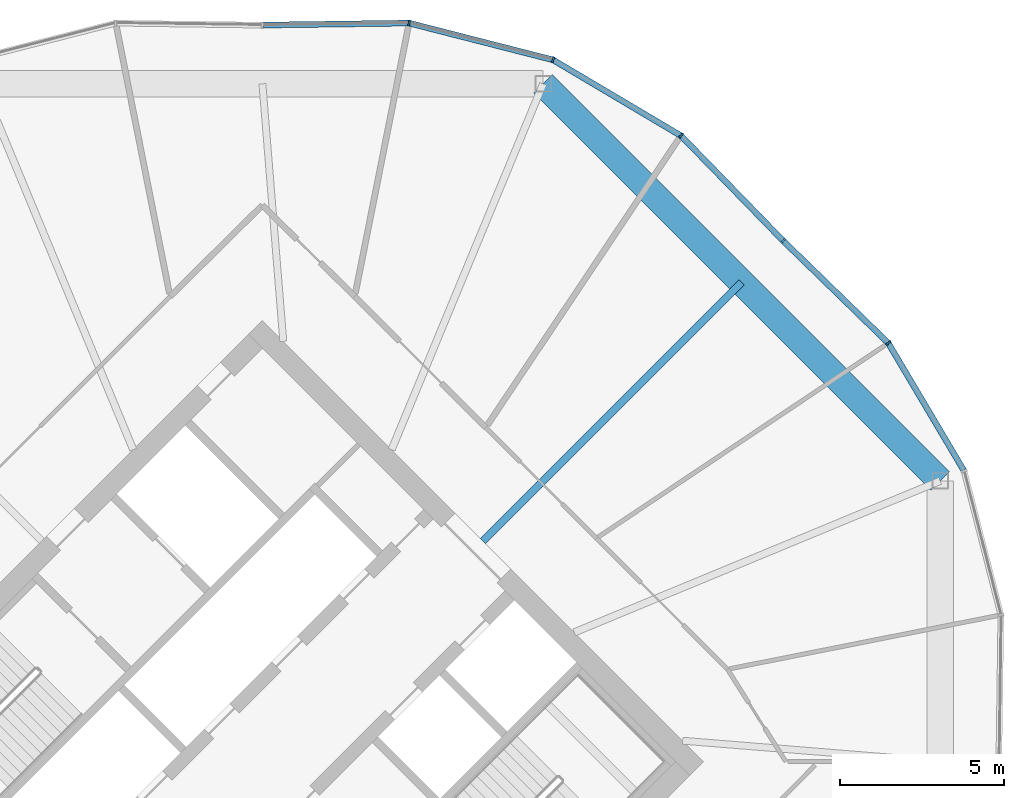
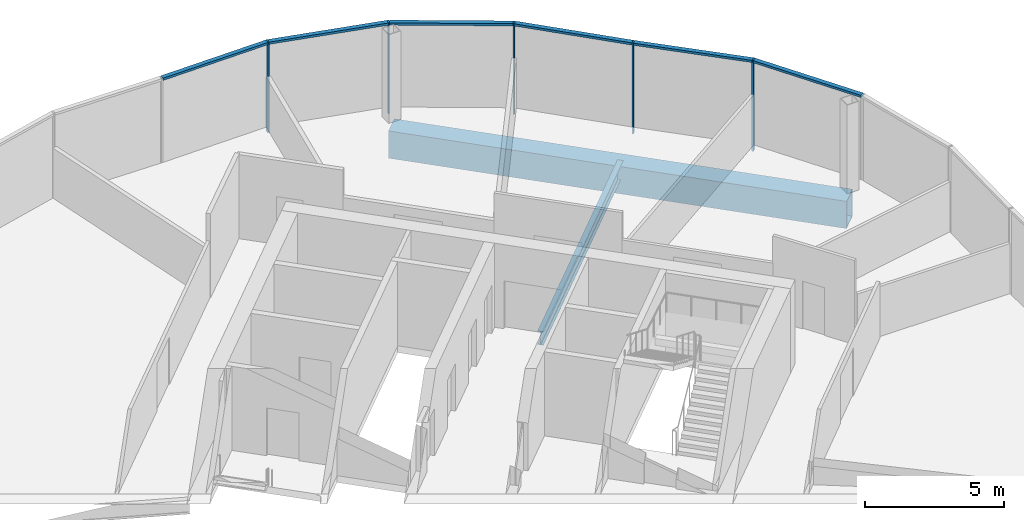
# One storey, part 16 of 26: 11 members, 2 beams, 2 elements without a shape of their own.
"""IFC4 building model written with IfcOpenShell, lengths in metres."""

from ifc_helpers import new_model, si_unit, direction, frame, origin, origin_2d, place, context, subcontext, project, spatial, rectangle, hollow_rectangle, i_section, extrude, material, material_profile, profile_set, type_object, element, aggregate, save


model = new_model("IFC4")

# Units and contexts
model_context = context("Model", 3, precision=1e-05, world=origin(), true_north=direction((0.0, 1.0)))
body_context = subcontext(model_context, "Body", "Model", "MODEL_VIEW")
ifc_project = project(units=[si_unit("LENGTHUNIT", "METRE"), si_unit("AREAUNIT", "SQUARE_METRE"), si_unit("VOLUMEUNIT", "CUBIC_METRE"), si_unit("PLANEANGLEUNIT", "RADIAN"), si_unit("MASSUNIT", "GRAM", prefix="KILO")], contexts=[model_context])

# Site, building, storey
site_placement = place(None, origin())
site = spatial("IfcSite", under=ifc_project, at=site_placement, CompositionType="ELEMENT")
building_placement = place(site_placement, origin())
building = spatial("IfcBuilding", under=site, at=building_placement, Name="Ogive Gate Towers", CompositionType="ELEMENT")
storey_placement = place(building_placement, frame((0.0, 0.0, 156.800048828125)))
storey = spatial("IfcBuildingStorey", under=building, at=storey_placement, Name="L37", CompositionType="ELEMENT", Elevation=156.800048828125)

# Beams
ifc_material_1 = material(Name="Steel SM460", Category="steel")
ifc_material_profile_1 = material_profile(ifc_material_1, hollow_rectangle(XDim=0.800048828125, YDim=1.199951171875, WallThickness=0.050048828125, at=origin_2d()), Name="BX 1200x800x50")
ifc_profile_set_1 = profile_set([ifc_material_profile_1], Name="Steel SM460")
beam_type_1 = type_object("IfcBeamType", Name="Edge girder BX 1200x800x50", PredefinedType="BEAM", material=ifc_profile_set_1)
beam_1_placement = place(storey_placement, frame((56.639404296875, 8.549072265625, -0.900146484375), z_axis=(-0.707106781187, 0.707106781187, 0.0), x_axis=(-0.707106781187, -0.707106781187, 0.0)))
element("IfcBeam", 1, at=beam_1_placement, inside=storey, type_object=beam_type_1, Name="T2/L37/SBM021", PredefinedType="BEAM", context=body_context, shape_type="SweptSolid", body=[
    extrude(hollow_rectangle(XDim=0.800048828125, YDim=1.199951171875, WallThickness=0.050048828125, at=origin_2d()), origin(), (0.0, 0.0, 1.0), 17.098388671875),
])
ifc_material_2 = material(Name="Steel SM355", Category="steel")
ifc_material_profile_2 = material_profile(ifc_material_2, i_section(OverallWidth=0.219970703125, OverallDepth=0.60009765625, WebThickness=0.011962890625, FlangeThickness=0.01904296875, FilletRadius=0.02392578125, at=origin_2d()), Name="IPE 600")
ifc_profile_set_2 = profile_set([ifc_material_profile_2], Name="Steel SM355")
beam_type_2 = type_object("IfcBeamType", Name="Radial floor beam IPE 600", PredefinedType="BEAM", material=ifc_profile_set_2)
beam_2_placement = place(storey_placement, frame((42.717529296875, 6.717529296875, -0.60009765625), z_axis=(0.707106781187, 0.707106781187, 0.0), x_axis=(-0.707106781187, 0.707106781187, 0.0)))
element("IfcBeam", 2, at=beam_2_placement, inside=storey, type_object=beam_type_2, Name="T2/L37/SBM010", PredefinedType="BEAM", context=body_context, shape_type="SweptSolid", body=[
    extrude(i_section(OverallWidth=0.219970703125, OverallDepth=0.60009765625, WebThickness=0.011962890625, FlangeThickness=0.01904296875, FilletRadius=0.02392578125, at=origin_2d()), origin(), (0.0, 0.0, 1.0), 11.139404296875),
])

# Curtain wall, members
ifc_material_3 = material(Name="Pale metal aluminium", Category="aluminium")
curtain_wall_type = type_object("IfcCurtainWallType", Name="Tower unitised wall, high zone", PredefinedType="NOTDEFINED", material=ifc_material_3)
curtain_wall_1_placement = place(storey_placement, origin())
curtain_wall_1 = element("IfcCurtainWall", 3, at=curtain_wall_1_placement, inside=storey, type_object=curtain_wall_type, Name="CW2 T2 ECW01", PredefinedType="NOTDEFINED")
ifc_material_profile_3 = material_profile(ifc_material_3, rectangle(XDim=0.179931640625, YDim=0.06005859375, at=origin_2d()), Name="60 x 180 aluminium box")
ifc_profile_set_3 = profile_set([ifc_material_profile_3], Name="Pale metal aluminium")
member_type_1 = type_object("IfcMemberType", Name="Tower unitised wall, high zone mullion 60 x 180", PredefinedType="MULLION", material=ifc_profile_set_3)
member_1_placement = place(storey_placement, frame((55.06201171875, 12.745361328125, -0.300048828125), z_axis=(0.0, 0.0, 1.0), x_axis=(0.785619383472, 0.618710097148, 0.0)))
member_1 = element("IfcMember", 4, at=member_1_placement, type_object=member_type_1, Name="CW2 mullion", PredefinedType="MULLION", context=body_context, shape_type="SweptSolid", body=[
    extrude(rectangle(XDim=0.179931640625, YDim=0.06005859375, at=origin_2d()), origin(), (0.0, 0.0, 1.0), 4.0),
])
member_2_placement = place(storey_placement, frame((51.860595703125, 15.8603515625, -0.300048828125), z_axis=(0.0, 0.0, 1.0), x_axis=(0.697352765719, 0.716728065687, 0.0)))
member_2 = element("IfcMember", 5, at=member_2_placement, type_object=member_type_1, Name="CW2 mullion", PredefinedType="MULLION", context=body_context, shape_type="SweptSolid", body=[
    extrude(rectangle(XDim=0.179931640625, YDim=0.06005859375, at=origin_2d()), origin(), (0.0, 0.0, 1.0), 4.0),
])

curtain_wall_2_placement = place(storey_placement, origin())
curtain_wall_2 = element("IfcCurtainWall", 6, at=curtain_wall_2_placement, inside=storey, type_object=curtain_wall_type, Name="CW2 T2 ECW02", PredefinedType="NOTDEFINED")
member_3_placement = place(storey_placement, frame((48.745361328125, 19.06201171875, -0.300048828125), z_axis=(0.0, 0.0, 1.0), x_axis=(0.618710097148, 0.785619383472, 0.0)))
member_3 = element("IfcMember", 7, at=member_3_placement, type_object=member_type_1, Name="CW2 mullion", PredefinedType="MULLION", context=body_context, shape_type="SweptSolid", body=[
    extrude(rectangle(XDim=0.179931640625, YDim=0.06005859375, at=origin_2d()), origin(), (0.0, 0.0, 1.0), 4.0),
])
member_4_placement = place(storey_placement, frame((44.851806640625, 21.370361328125, -0.300048828125), z_axis=(0.0, 0.0, 1.0), x_axis=(0.382683432365, 0.923879532511, 0.0)))
member_4 = element("IfcMember", 8, at=member_4_placement, type_object=member_type_1, Name="CW2 mullion", PredefinedType="MULLION", context=body_context, shape_type="SweptSolid", body=[
    extrude(rectangle(XDim=0.179931640625, YDim=0.06005859375, at=origin_2d()), origin(), (0.0, 0.0, 1.0), 4.0),
])
member_5_placement = place(storey_placement, frame((40.466552734375, 22.491455078125, -0.300048828125), z_axis=(0.0, 0.0, 1.0), x_axis=(0.118005356875, 0.9930129585, 0.0)))
member_5 = element("IfcMember", 9, at=member_5_placement, type_object=member_type_1, Name="CW2 mullion", PredefinedType="MULLION", context=body_context, shape_type="SweptSolid", body=[
    extrude(rectangle(XDim=0.179931640625, YDim=0.06005859375, at=origin_2d()), origin(), (0.0, 0.0, 1.0), 4.0),
])

# Member
ifc_material_profile_4 = material_profile(ifc_material_3, rectangle(XDim=0.179931640625, YDim=0.10009765625, at=origin_2d()), Name="100 x 180 aluminium box")
ifc_profile_set_4 = profile_set([ifc_material_profile_4], Name="Pale metal aluminium")
member_type_2 = type_object("IfcMemberType", Name="Tower unitised wall, high zone transom 100 x 180", PredefinedType="USERDEFINED", material=ifc_profile_set_4)
member_6_placement = place(storey_placement, frame((57.355712890625, 8.87646484375, 3.64990234375), z_axis=(-0.50996560384, 0.860194793579, 0.0), x_axis=(-0.860194793579, -0.50996560384, 0.0)))
member_6 = element("IfcMember", 10, at=member_6_placement, type_object=member_type_2, Name="CW2 transom", ObjectType="TRANSOM", PredefinedType="USERDEFINED", context=body_context, shape_type="SweptSolid", body=[
    extrude(rectangle(XDim=0.179931640625, YDim=0.10009765625, at=origin_2d()), origin(), (0.0, 0.0, 1.0), 4.468994140625),
])

member_7_placement = place(storey_placement, frame((55.04150390625, 12.765380859375, 3.64990234375), z_axis=(-0.716732664318, 0.697348039288, 0.0), x_axis=(-0.697348039288, -0.716732664318, 0.0)))
member_7 = element("IfcMember", 11, at=member_7_placement, type_object=member_type_2, Name="CW2 transom", ObjectType="TRANSOM", PredefinedType="USERDEFINED", context=body_context, shape_type="SweptSolid", body=[
    extrude(rectangle(XDim=0.179931640625, YDim=0.10009765625, at=origin_2d()), origin(), (0.0, 0.0, 1.0), 4.408203125),
])

aggregate(curtain_wall_1, [member_1, member_6, member_2, member_7])

member_8_placement = place(storey_placement, frame((51.83935546875, 15.882080078125, 3.64990234375), z_axis=(-0.697348039288, 0.716732664318, 0.0), x_axis=(-0.716732664318, -0.697348039288, 0.0)))
member_8 = element("IfcMember", 12, at=member_8_placement, type_object=member_type_2, Name="CW2 transom", ObjectType="TRANSOM", PredefinedType="USERDEFINED", context=body_context, shape_type="SweptSolid", body=[
    extrude(rectangle(XDim=0.179931640625, YDim=0.10009765625, at=origin_2d()), origin(), (0.0, 0.0, 1.0), 4.408203125),
])

member_9_placement = place(storey_placement, frame((48.720703125, 19.07666015625, 3.64990234375), z_axis=(-0.860194793579, 0.50996560384, 0.0), x_axis=(-0.50996560384, -0.860194793579, 0.0)))
member_9 = element("IfcMember", 13, at=member_9_placement, type_object=member_type_2, Name="CW2 transom", ObjectType="TRANSOM", PredefinedType="USERDEFINED", context=body_context, shape_type="SweptSolid", body=[
    extrude(rectangle(XDim=0.179931640625, YDim=0.10009765625, at=origin_2d()), origin(), (0.0, 0.0, 1.0), 4.468994140625),
])

member_10_placement = place(storey_placement, frame((44.82421875, 21.377197265625, 3.64990234375), z_axis=(-0.968840212486, 0.247686581529, 0.0), x_axis=(-0.247686581529, -0.968840212486, 0.0)))
member_10 = element("IfcMember", 14, at=member_10_placement, type_object=member_type_2, Name="CW2 transom", ObjectType="TRANSOM", PredefinedType="USERDEFINED", context=body_context, shape_type="SweptSolid", body=[
    extrude(rectangle(XDim=0.179931640625, YDim=0.10009765625, at=origin_2d()), origin(), (0.0, 0.0, 1.0), 4.468994140625),
])

member_11_placement = place(storey_placement, frame((40.43798828125, 22.490966796875, 3.64990234375), z_axis=(-0.999905677146, -0.013734511655, 0.0), x_axis=(0.013734511655, -0.999905677146, 0.0)))
member_11 = element("IfcMember", 15, at=member_11_placement, type_object=member_type_2, Name="CW2 transom", ObjectType="TRANSOM", PredefinedType="USERDEFINED", context=body_context, shape_type="SweptSolid", body=[
    extrude(rectangle(XDim=0.179931640625, YDim=0.10009765625, at=origin_2d()), origin(), (0.0, 0.0, 1.0), 4.408447265625),
])

aggregate(curtain_wall_2, [member_3, member_8, member_4, member_9, member_5, member_10, member_11])

save(model, "model.ifc")
